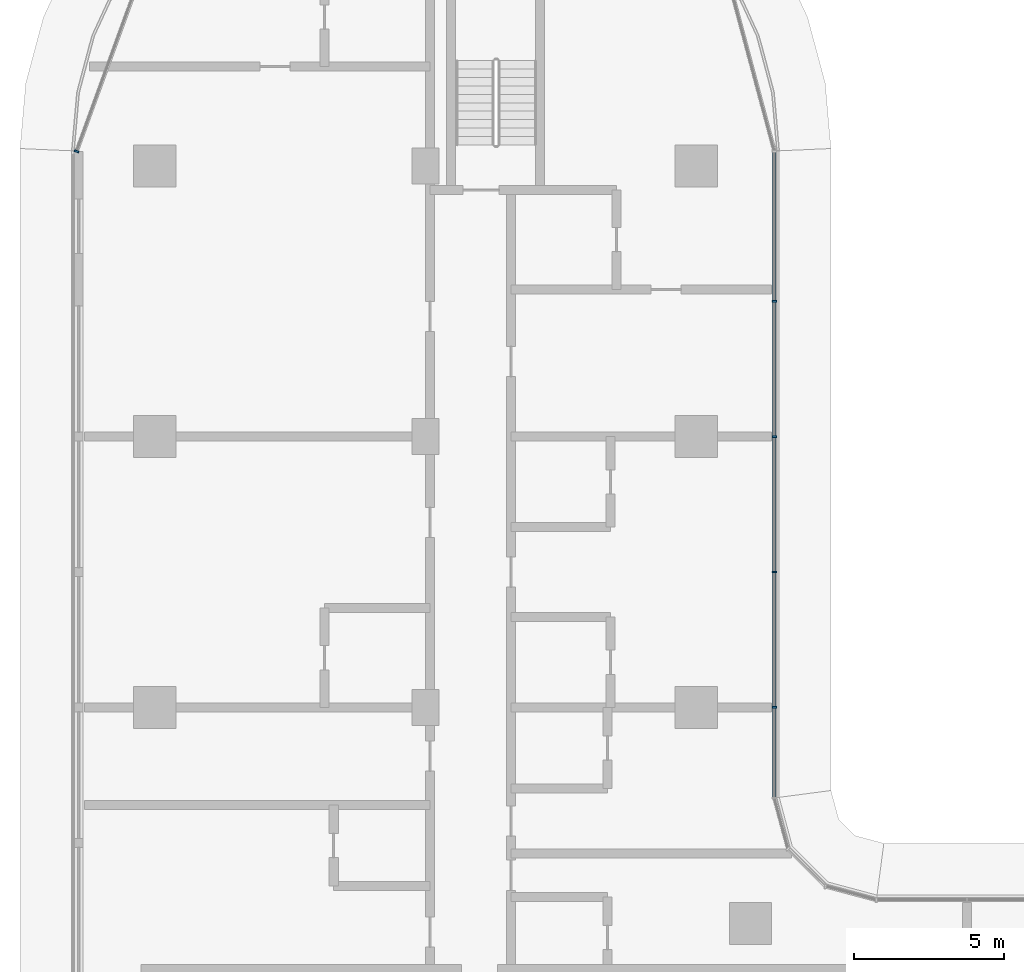
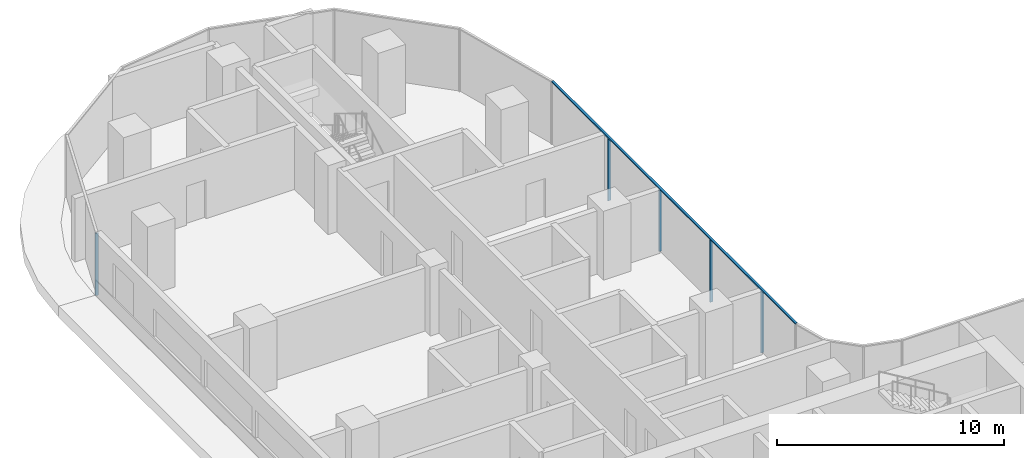
# One storey, part 6 of 36: 6 members, 2 elements without a shape of their own.
"""IFC4 building model written with IfcOpenShell, lengths in metres."""

from ifc_helpers import new_model, si_unit, direction, frame, origin, origin_2d, place, context, subcontext, project, spatial, rectangle, extrude, material, material_profile, profile_set, type_object, element, aggregate, save


model = new_model("IFC4")

# Units and contexts
model_context = context("Model", 3, precision=1e-05, world=origin(), true_north=direction((0.0, 1.0)))
body_context = subcontext(model_context, "Body", "Model", "MODEL_VIEW")
ifc_project = project(units=[si_unit("LENGTHUNIT", "METRE"), si_unit("AREAUNIT", "SQUARE_METRE"), si_unit("VOLUMEUNIT", "CUBIC_METRE"), si_unit("PLANEANGLEUNIT", "RADIAN"), si_unit("MASSUNIT", "GRAM", prefix="KILO")], contexts=[model_context])

# Site, building, storey
site_placement = place(None, origin())
site = spatial("IfcSite", under=ifc_project, at=site_placement, CompositionType="ELEMENT")
building_placement = place(site_placement, origin())
building = spatial("IfcBuilding", under=site, at=building_placement, Name="Ogive Portal Towers", CompositionType="ELEMENT")
storey_placement = place(building_placement, frame((0.0, 0.0, 63.10009765625)))
storey = spatial("IfcBuildingStorey", under=building, at=storey_placement, Name="L14", CompositionType="ELEMENT", Elevation=63.10009765625)

# Curtain wall, members
ifc_material_1 = material(Name="Glass, clear low-iron insulated glazing", Category="glass")
curtain_wall_type = type_object("IfcCurtainWallType", Name="CW FRONT RIBBON 4500", PredefinedType="NOTDEFINED", material=ifc_material_1)
curtain_wall_1_placement = place(storey_placement, origin())
curtain_wall_1 = element("IfcCurtainWall", 1, at=curtain_wall_1_placement, inside=storey, type_object=curtain_wall_type, Name="A:L14:f20:cw0", PredefinedType="NOTDEFINED")
ifc_material_2 = material(Name="Aluminium 6063 anodised", Category="aluminium")
ifc_material_profile_1 = material_profile(ifc_material_2, rectangle(XDim=0.159912109375, YDim=0.06005859375, at=origin_2d()), Name="AL 60x160")
ifc_profile_set_1 = profile_set([ifc_material_profile_1], Name="Aluminium 6063 anodised")
member_type_1 = type_object("IfcMemberType", Name="CW MULLION 60x160", PredefinedType="MULLION", material=ifc_profile_set_1)
member_1_placement = place(storey_placement, frame((52.10009765625, 48.5, 0.0), z_axis=(0.0, 0.0, 1.0), x_axis=(-1.0, 0.0, 0.0)))
member_1 = element("IfcMember", 2, at=member_1_placement, type_object=member_type_1, Name="mullion", PredefinedType="MULLION", context=body_context, shape_type="SweptSolid", body=[
    extrude(rectangle(XDim=0.159912109375, YDim=0.06005859375, at=origin_2d()), origin(), (0.0, 0.0, 1.0), 3.33984375),
])
member_2_placement = place(storey_placement, frame((52.10009765625, 53.0, 0.0), z_axis=(0.0, 0.0, 1.0), x_axis=(-1.0, 0.0, 0.0)))
member_2 = element("IfcMember", 3, at=member_2_placement, type_object=member_type_1, Name="mullion", PredefinedType="MULLION", context=body_context, shape_type="SweptSolid", body=[
    extrude(rectangle(XDim=0.159912109375, YDim=0.06005859375, at=origin_2d()), origin(), (0.0, 0.0, 1.0), 3.33984375),
])
member_3_placement = place(storey_placement, frame((52.10009765625, 57.5, 0.0), z_axis=(0.0, 0.0, 1.0), x_axis=(-1.0, 0.0, 0.0)))
member_3 = element("IfcMember", 4, at=member_3_placement, type_object=member_type_1, Name="mullion", PredefinedType="MULLION", context=body_context, shape_type="SweptSolid", body=[
    extrude(rectangle(XDim=0.159912109375, YDim=0.06005859375, at=origin_2d()), origin(), (0.0, 0.0, 1.0), 3.33984375),
])
member_4_placement = place(storey_placement, frame((52.10009765625, 62.0, 0.0), z_axis=(0.0, 0.0, 1.0), x_axis=(-1.0, 0.0, 0.0)))
member_4 = element("IfcMember", 5, at=member_4_placement, type_object=member_type_1, Name="mullion", PredefinedType="MULLION", context=body_context, shape_type="SweptSolid", body=[
    extrude(rectangle(XDim=0.159912109375, YDim=0.06005859375, at=origin_2d()), origin(), (0.0, 0.0, 1.0), 3.33984375),
])

# Curtain wall, member
curtain_wall_2_placement = place(storey_placement, origin())
curtain_wall_2 = element("IfcCurtainWall", 6, at=curtain_wall_2_placement, inside=storey, type_object=curtain_wall_type, Name="A:L14:f21:cwa", PredefinedType="NOTDEFINED")
member_5_placement = place(storey_placement, frame((28.89990234375, 66.98583984375, 0.0), z_axis=(0.0, 0.0, 1.0), x_axis=(0.939692620786, -0.342020143326, 0.0)))
member_5 = element("IfcMember", 7, at=member_5_placement, type_object=member_type_1, Name="mullion", PredefinedType="MULLION", context=body_context, shape_type="SweptSolid", body=[
    extrude(rectangle(XDim=0.159912109375, YDim=0.06005859375, at=origin_2d()), origin(), (0.0, 0.0, 1.0), 3.33984375),
])
aggregate(curtain_wall_2, [member_5])

# Member
ifc_material_profile_2 = material_profile(ifc_material_2, rectangle(XDim=0.1201171875, YDim=0.06005859375, at=origin_2d()), Name="AL 120x60")
ifc_profile_set_2 = profile_set([ifc_material_profile_2], Name="Aluminium 6063 anodised")
member_type_2 = type_object("IfcMemberType", Name="CW TRANSOM 60x120", PredefinedType="USERDEFINED", material=ifc_profile_set_2)
member_6_placement = place(storey_placement, frame((52.10009765625, 45.489501953125, 3.369873046875), z_axis=(0.0, 1.0, 0.0), x_axis=(-1.0, 0.0, 0.0)))
member_6 = element("IfcMember", 8, at=member_6_placement, type_object=member_type_2, Name="transom", ObjectType="TRANSOM", PredefinedType="USERDEFINED", context=body_context, shape_type="SweptSolid", body=[
    extrude(rectangle(XDim=0.1201171875, YDim=0.06005859375, at=origin_2d()), origin(), (0.0, 0.0, 1.0), 21.5),
])

aggregate(curtain_wall_1, [member_6, member_1, member_2, member_3, member_4])

save(model, "model.ifc")
